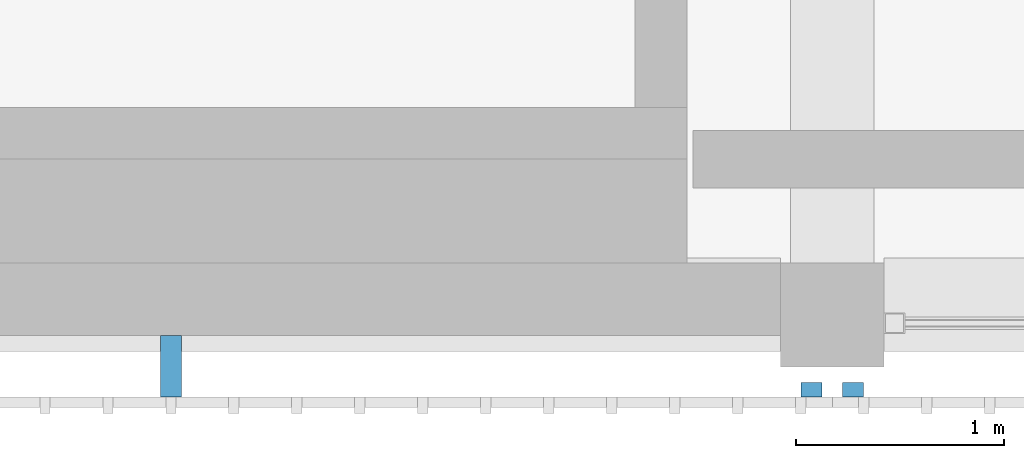
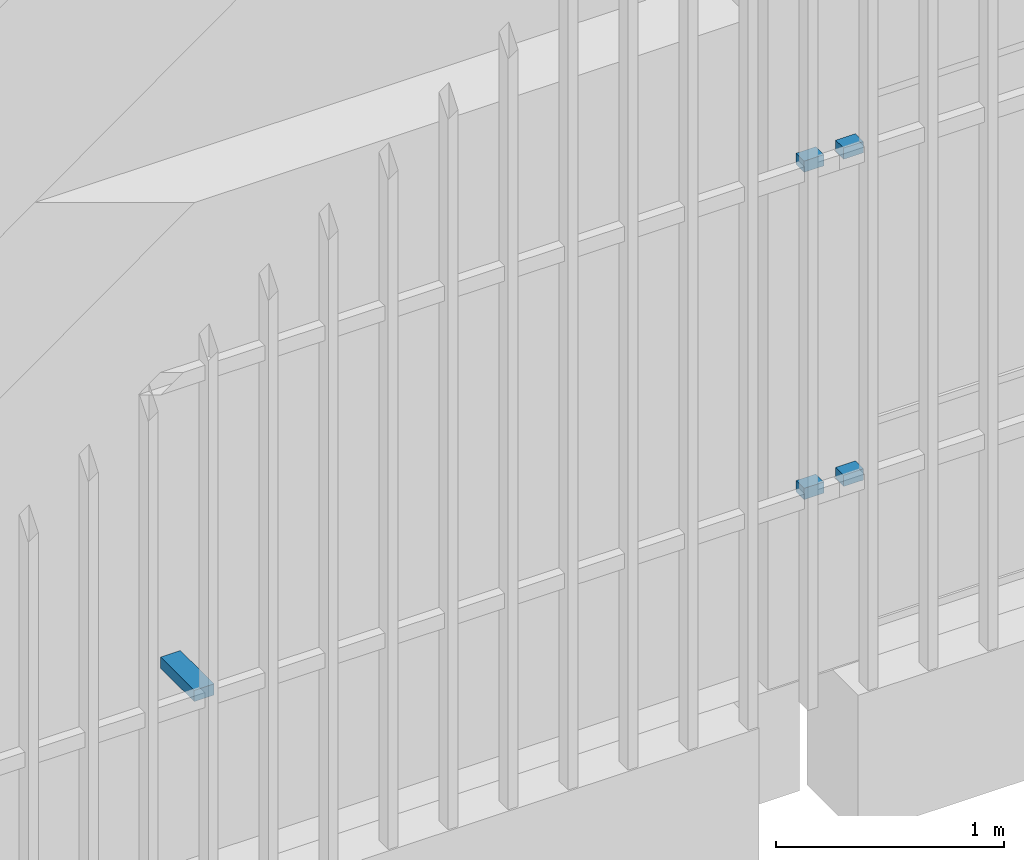
# One storey, part 93 of 124: 5 discrete accessories.
"""IFC4 building model written with IfcOpenShell, lengths in metres."""

from ifc_helpers import new_model, si_unit, direction, frame, origin, origin_2d, place, context, subcontext, project, spatial, rectangle, extrude, material, type_object, element, save


model = new_model("IFC4")

# Units and contexts
model_context = context("Model", 3, precision=1e-05, world=origin(), true_north=direction((0.0, 1.0)))
body_context = subcontext(model_context, "Body", "Model", "MODEL_VIEW")
ifc_project = project(units=[si_unit("LENGTHUNIT", "METRE"), si_unit("AREAUNIT", "SQUARE_METRE"), si_unit("VOLUMEUNIT", "CUBIC_METRE"), si_unit("PLANEANGLEUNIT", "RADIAN"), si_unit("MASSUNIT", "GRAM", prefix="KILO")], contexts=[model_context])

# Site, building, storey
site_placement = place(None, origin())
site = spatial("IfcSite", under=ifc_project, at=site_placement, CompositionType="ELEMENT")
building_placement = place(site_placement, origin())
building = spatial("IfcBuilding", under=site, at=building_placement, Name="Shirokan Park Arena", CompositionType="ELEMENT")
storey_placement = place(building_placement, frame((0.0, 0.0, 20.02001953125)))
storey = spatial("IfcBuildingStorey", under=building, at=storey_placement, Name="L04", CompositionType="ELEMENT", Elevation=20.02001953125)

# Discrete accessories
ifc_material = material(Name="Steel S355", Category="steel")
discrete_accessory_type = type_object("IfcDiscreteAccessoryType", Name="Veil bracket 100x60", PredefinedType="BRACKET", material=ifc_material)
for number, where, z_axis, x_axis, name in (
    (1, (127.300048828125, -0.409912109375, 1.070068359375), (0.0, 0.0, 1.0), (1.0, 0.0, 0.0), "Veil bracket south bay 14 L04 2"),
    (2, (127.300048828125, -0.409912109375, 2.820068359375), (0.0, 0.0, 1.0), (1.0, 0.0, 0.0), "Veil bracket south bay 14 L04 4"),
):
    element("IfcDiscreteAccessory", number, at=place(storey_placement, frame(where, z_axis=z_axis, x_axis=x_axis)), inside=storey, type_object=discrete_accessory_type, Name=name, PredefinedType="BRACKET", context=body_context, shape_type="SweptSolid", body=[
        extrude(rectangle(XDim=0.10009765625, YDim=0.070068359375, at=origin_2d()), origin(), (0.0, 0.0, 1.0), 0.06005859375),
    ])
discrete_accessory_placement = place(storey_placement, frame((124.215087890625, -0.297607421875, 1.070068359375), z_axis=(0.0, 0.0, 1.0), x_axis=(1.0, 0.0, 0.0)))
element("IfcDiscreteAccessory", 3, at=discrete_accessory_placement, inside=storey, type_object=discrete_accessory_type, Name="Veil bracket south bay 14 L04 wall 2", PredefinedType="BRACKET", context=body_context, shape_type="SweptSolid", body=[
    extrude(rectangle(XDim=0.10009765625, YDim=0.294921875, at=origin_2d()), origin(), (0.0, 0.0, 1.0), 0.06005859375),
])
for number, where, z_axis, x_axis, name in (
    (4, (127.5, -0.409912109375, 1.070068359375), (0.0, 0.0, 1.0), (1.0, 0.0, 0.0), "Veil bracket south bay 15 L04 1"),
    (5, (127.5, -0.409912109375, 2.820068359375), (0.0, 0.0, 1.0), (1.0, 0.0, 0.0), "Veil bracket south bay 15 L04 3"),
):
    element("IfcDiscreteAccessory", number, at=place(storey_placement, frame(where, z_axis=z_axis, x_axis=x_axis)), inside=storey, type_object=discrete_accessory_type, Name=name, PredefinedType="BRACKET", context=body_context, shape_type="SweptSolid", body=[
        extrude(rectangle(XDim=0.10009765625, YDim=0.070068359375, at=origin_2d()), origin(), (0.0, 0.0, 1.0), 0.06005859375),
    ])

save(model, "model.ifc")
